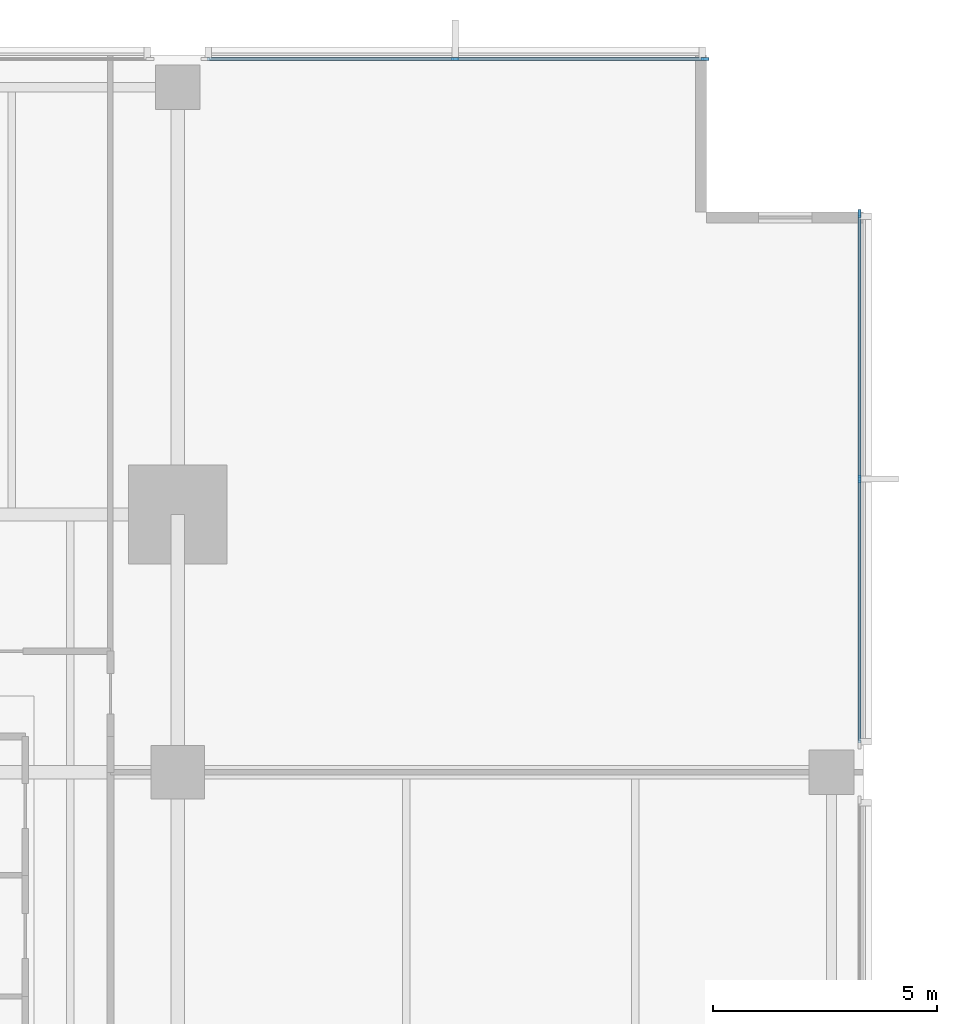
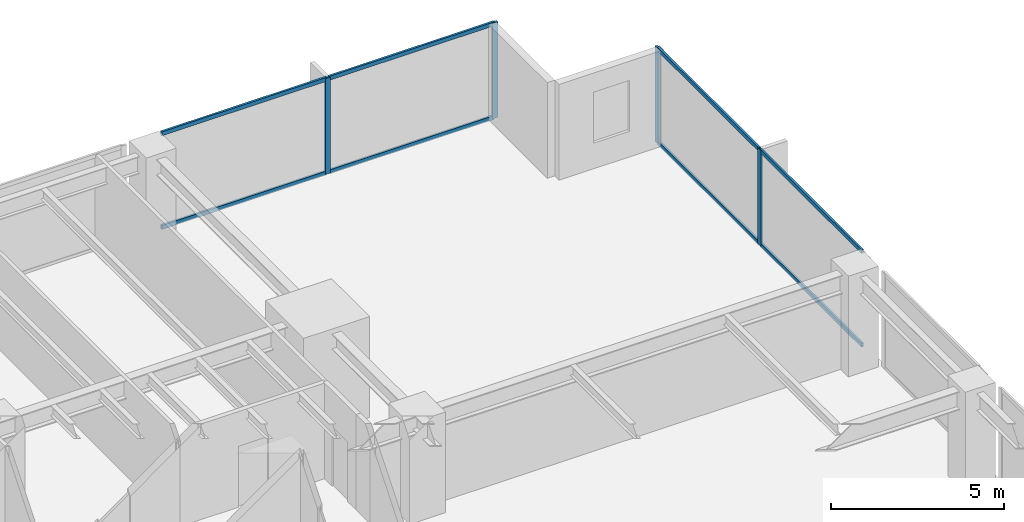
# One storey, part 6 of 15: 12 members, 2 elements without a shape of their own.
"""IFC4 building model written with IfcOpenShell, lengths in metres."""

from ifc_helpers import new_model, si_unit, direction, frame, origin, origin_2d, place, context, subcontext, project, spatial, rectangle, extrude, material, layer, layer_set, material_profile, profile_set, type_object, element, aggregate, save


model = new_model("IFC4")

# Units and contexts
model_context = context("Model", 3, precision=1e-05, world=origin(), true_north=direction((0.0, 1.0)))
body_context = subcontext(model_context, "Body", "Model", "MODEL_VIEW")
ifc_project = project(units=[si_unit("LENGTHUNIT", "METRE"), si_unit("AREAUNIT", "SQUARE_METRE"), si_unit("VOLUMEUNIT", "CUBIC_METRE"), si_unit("PLANEANGLEUNIT", "RADIAN"), si_unit("MASSUNIT", "GRAM", prefix="KILO")], contexts=[model_context])

# Site, building, storey
site_placement = place(None, origin())
site = spatial("IfcSite", under=ifc_project, at=site_placement, CompositionType="ELEMENT")
building_placement = place(site_placement, origin())
building = spatial("IfcBuilding", under=site, at=building_placement, Name="Kinhvarn Gate Tower", CompositionType="ELEMENT")
storey_placement = place(building_placement, frame((0.0, 0.0, 71.75)))
storey = spatial("IfcBuildingStorey", under=building, at=storey_placement, Name="L18", CompositionType="ELEMENT", Elevation=71.75)

# Curtain wall, members
ifc_material = material(Name="Anodised aluminium AW-6063", Category="aluminium")
ifc_layer = layer(ifc_material, 0.179931640625)
ifc_layer_set = layer_set([ifc_layer], Name="Anodised aluminium AW-6063")
curtain_wall_type = type_object("IfcCurtainWallType", Name="CW-SYS-2", PredefinedType="NOTDEFINED", material=ifc_layer_set)
curtain_wall_1_placement = place(storey_placement, origin())
curtain_wall_1 = element("IfcCurtainWall", 1, at=curtain_wall_1_placement, inside=storey, type_object=curtain_wall_type, Name="Curtain Wall CW2 (L18)", PredefinedType="NOTDEFINED")
ifc_material_profile_1 = material_profile(ifc_material, rectangle(XDim=0.070068359375, YDim=0.179931640625, at=origin_2d()), Name="ALU 70x180")
ifc_profile_set_1 = profile_set([ifc_material_profile_1], Name="Anodised aluminium AW-6063")
member_type_1 = type_object("IfcMemberType", Name="CW-MUL-180", PredefinedType="MULLION", material=ifc_profile_set_1)
member_1_placement = place(storey_placement, frame((49.965087890625, 47.909912109375, 0.0), z_axis=(0.0, 0.0, 1.0), x_axis=(0.0, -1.0, 0.0)))
member_1 = element("IfcMember", 2, at=member_1_placement, type_object=member_type_1, Name="CW2 mullion 1", PredefinedType="MULLION", context=body_context, shape_type="SweptSolid", body=[
    extrude(rectangle(XDim=0.070068359375, YDim=0.179931640625, at=origin_2d()), origin(), (0.0, 0.0, 1.0), 3.3701171875),
])
member_2_placement = place(storey_placement, frame((44.389892578125, 47.909912109375, 0.0), z_axis=(0.0, 0.0, 1.0), x_axis=(0.0, -1.0, 0.0)))
member_2 = element("IfcMember", 3, at=member_2_placement, type_object=member_type_1, Name="CW2 mullion 2", PredefinedType="MULLION", context=body_context, shape_type="SweptSolid", body=[
    extrude(rectangle(XDim=0.070068359375, YDim=0.179931640625, at=origin_2d()), origin(), (0.0, 0.0, 1.0), 3.3701171875),
])

curtain_wall_2_placement = place(storey_placement, origin())
curtain_wall_2 = element("IfcCurtainWall", 4, at=curtain_wall_2_placement, inside=storey, type_object=curtain_wall_type, Name="Curtain Wall CW2 (L18)", PredefinedType="NOTDEFINED")
member_3_placement = place(storey_placement, frame((53.409912109375, 38.5400390625, 0.0), z_axis=(0.0, 0.0, 1.0), x_axis=(-1.0, 0.0, 0.0)))
member_3 = element("IfcMember", 5, at=member_3_placement, type_object=member_type_1, Name="CW2 mullion 2", PredefinedType="MULLION", context=body_context, shape_type="SweptSolid", body=[
    extrude(rectangle(XDim=0.070068359375, YDim=0.179931640625, at=origin_2d()), origin(), (0.0, 0.0, 1.0), 3.3701171875),
])
member_4_placement = place(storey_placement, frame((53.409912109375, 44.465087890625, 0.0), z_axis=(0.0, 0.0, 1.0), x_axis=(-1.0, 0.0, 0.0)))
member_4 = element("IfcMember", 6, at=member_4_placement, type_object=member_type_1, Name="CW2 mullion 3", PredefinedType="MULLION", context=body_context, shape_type="SweptSolid", body=[
    extrude(rectangle(XDim=0.070068359375, YDim=0.179931640625, at=origin_2d()), origin(), (0.0, 0.0, 1.0), 3.3701171875),
])

# Member
ifc_material_profile_2 = material_profile(ifc_material, rectangle(XDim=0.070068359375, YDim=0.139892578125, at=origin_2d()), Name="ALU 70x140")
ifc_profile_set_2 = profile_set([ifc_material_profile_2], Name="Anodised aluminium AW-6063")
member_type_2 = type_object("IfcMemberType", Name="CW-TRN-140", PredefinedType="USERDEFINED", material=ifc_profile_set_2)
member_5_placement = place(storey_placement, frame((49.929931640625, 47.909912109375, 0.034912109375), z_axis=(-1.0, 0.0, 0.0), x_axis=(0.0, -1.0, 0.0)))
member_5 = element("IfcMember", 7, at=member_5_placement, type_object=member_type_2, Name="CW2 transom 1.1", ObjectType="TRANSOM", PredefinedType="USERDEFINED", context=body_context, shape_type="SweptSolid", body=[
    extrude(rectangle(XDim=0.070068359375, YDim=0.139892578125, at=origin_2d()), origin(), (0.0, 0.0, 1.0), 5.5048828125),
])

member_6_placement = place(storey_placement, frame((49.929931640625, 47.909912109375, 3.3349609375), z_axis=(-1.0, 0.0, 0.0), x_axis=(0.0, -1.0, 0.0)))
member_6 = element("IfcMember", 8, at=member_6_placement, type_object=member_type_2, Name="CW2 transom 1.2", ObjectType="TRANSOM", PredefinedType="USERDEFINED", context=body_context, shape_type="SweptSolid", body=[
    extrude(rectangle(XDim=0.070068359375, YDim=0.139892578125, at=origin_2d()), origin(), (0.0, 0.0, 1.0), 5.5048828125),
])

member_7_placement = place(storey_placement, frame((44.35498046875, 47.909912109375, 0.034912109375), z_axis=(-1.0, 0.0, 0.0), x_axis=(0.0, -1.0, 0.0)))
member_7 = element("IfcMember", 9, at=member_7_placement, type_object=member_type_2, Name="CW2 transom 2.1", ObjectType="TRANSOM", PredefinedType="USERDEFINED", context=body_context, shape_type="SweptSolid", body=[
    extrude(rectangle(XDim=0.070068359375, YDim=0.139892578125, at=origin_2d()), origin(), (0.0, 0.0, 1.0), 5.5048828125),
])

member_8_placement = place(storey_placement, frame((44.35498046875, 47.909912109375, 3.3349609375), z_axis=(-1.0, 0.0, 0.0), x_axis=(0.0, -1.0, 0.0)))
member_8 = element("IfcMember", 10, at=member_8_placement, type_object=member_type_2, Name="CW2 transom 2.2", ObjectType="TRANSOM", PredefinedType="USERDEFINED", context=body_context, shape_type="SweptSolid", body=[
    extrude(rectangle(XDim=0.070068359375, YDim=0.139892578125, at=origin_2d()), origin(), (0.0, 0.0, 1.0), 5.5048828125),
])

aggregate(curtain_wall_1, [member_1, member_2, member_5, member_6, member_7, member_8])

member_9_placement = place(storey_placement, frame((53.409912109375, 32.64990234375, 0.034912109375), z_axis=(0.0, 1.0, 0.0), x_axis=(-1.0, 0.0, 0.0)))
member_9 = element("IfcMember", 11, at=member_9_placement, type_object=member_type_2, Name="CW2 transom 1.1", ObjectType="TRANSOM", PredefinedType="USERDEFINED", context=body_context, shape_type="SweptSolid", body=[
    extrude(rectangle(XDim=0.070068359375, YDim=0.139892578125, at=origin_2d()), origin(), (0.0, 0.0, 1.0), 5.85498046875),
])

member_10_placement = place(storey_placement, frame((53.409912109375, 32.64990234375, 3.3349609375), z_axis=(0.0, 1.0, 0.0), x_axis=(-1.0, 0.0, 0.0)))
member_10 = element("IfcMember", 12, at=member_10_placement, type_object=member_type_2, Name="CW2 transom 1.2", ObjectType="TRANSOM", PredefinedType="USERDEFINED", context=body_context, shape_type="SweptSolid", body=[
    extrude(rectangle(XDim=0.070068359375, YDim=0.139892578125, at=origin_2d()), origin(), (0.0, 0.0, 1.0), 5.85498046875),
])

member_11_placement = place(storey_placement, frame((53.409912109375, 38.574951171875, 0.034912109375), z_axis=(0.0, 1.0, 0.0), x_axis=(-1.0, 0.0, 0.0)))
member_11 = element("IfcMember", 13, at=member_11_placement, type_object=member_type_2, Name="CW2 transom 2.1", ObjectType="TRANSOM", PredefinedType="USERDEFINED", context=body_context, shape_type="SweptSolid", body=[
    extrude(rectangle(XDim=0.070068359375, YDim=0.139892578125, at=origin_2d()), origin(), (0.0, 0.0, 1.0), 5.85498046875),
])

member_12_placement = place(storey_placement, frame((53.409912109375, 38.574951171875, 3.3349609375), z_axis=(0.0, 1.0, 0.0), x_axis=(-1.0, 0.0, 0.0)))
member_12 = element("IfcMember", 14, at=member_12_placement, type_object=member_type_2, Name="CW2 transom 2.2", ObjectType="TRANSOM", PredefinedType="USERDEFINED", context=body_context, shape_type="SweptSolid", body=[
    extrude(rectangle(XDim=0.070068359375, YDim=0.139892578125, at=origin_2d()), origin(), (0.0, 0.0, 1.0), 5.85498046875),
])

aggregate(curtain_wall_2, [member_3, member_4, member_9, member_10, member_11, member_12])

save(model, "model.ifc")
